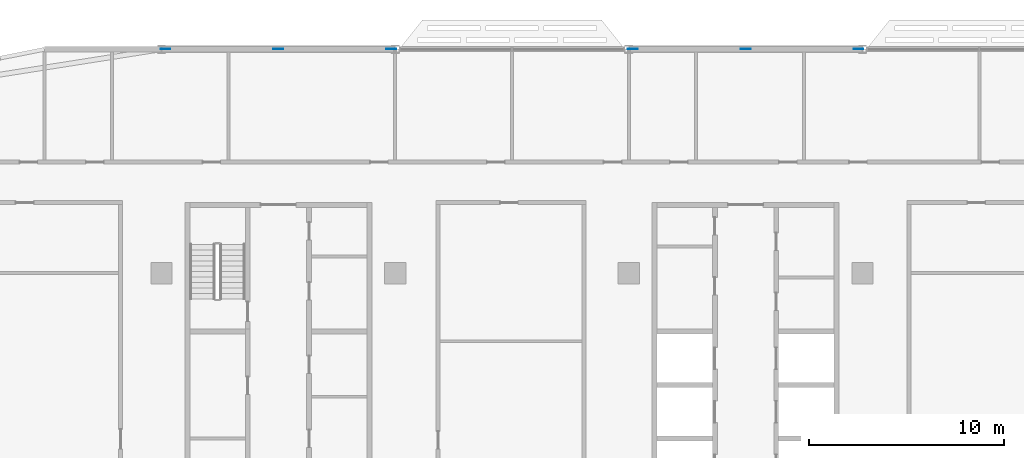
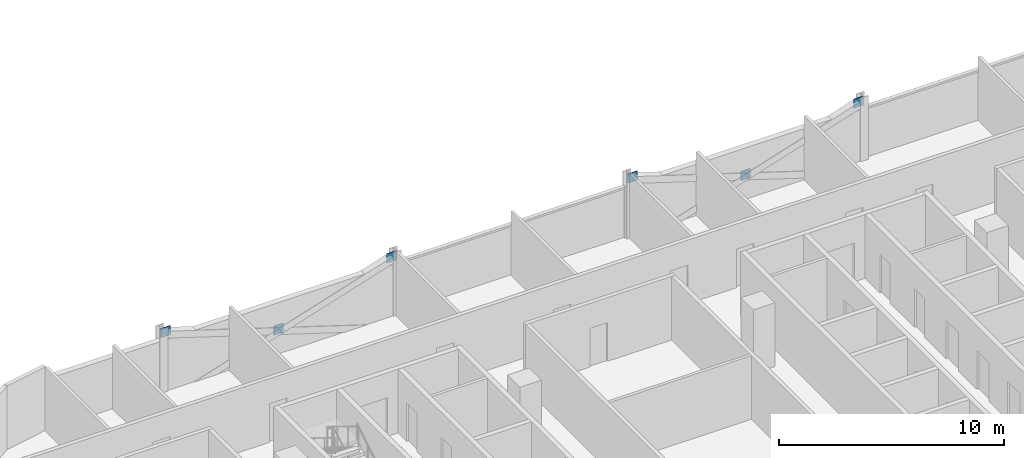
# One storey, part 22 of 30: 6 discrete accessories.
"""IFC4 building model written with IfcOpenShell, lengths in metres."""

from ifc_helpers import new_model, si_unit, direction, frame, origin, origin_2d, place, context, subcontext, project, spatial, rectangle, extrude, material, layer, layer_set, type_object, element, save


model = new_model("IFC4")

# Units and contexts
model_context = context("Model", 3, precision=1e-05, world=origin(), true_north=direction((0.0, 1.0)))
body_context = subcontext(model_context, "Body", "Model", "MODEL_VIEW")
ifc_project = project(units=[si_unit("LENGTHUNIT", "METRE"), si_unit("AREAUNIT", "SQUARE_METRE"), si_unit("VOLUMEUNIT", "CUBIC_METRE"), si_unit("PLANEANGLEUNIT", "RADIAN"), si_unit("MASSUNIT", "GRAM", prefix="KILO")], contexts=[model_context])

# Site, building, storey
site_placement = place(None, origin())
site = spatial("IfcSite", under=ifc_project, at=site_placement, CompositionType="ELEMENT")
building_placement = place(site_placement, origin())
building = spatial("IfcBuilding", under=site, at=building_placement, Name="Mahtab Terrace Research Tower", CompositionType="ELEMENT")
storey_placement = place(building_placement, frame((0.0, 0.0, 212.89990234375)))
storey = spatial("IfcBuildingStorey", under=building, at=storey_placement, Name="L51", CompositionType="ELEMENT", Elevation=212.89990234375)

# Discrete accessories
ifc_material = material(Name="Steel ASTM A992 Gr 50", Category="steel")
ifc_layer = layer(ifc_material, 0.030029296875)
ifc_layer_set = layer_set([ifc_layer], Name="Gusset plate 500x500x30")
discrete_accessory_type = type_object("IfcDiscreteAccessoryType", Name="Gusset plate 500x500x30", PredefinedType="USERDEFINED", material=ifc_layer_set)
for number, where, z_axis, x_axis, name in (
    (1, (-29.79931640625, 23.0, 2.87109375), (0.0, 0.0, 1.0), (1.0, 0.0, 0.0), "Gusset plate"),
    (2, (-24.0, 23.0, 0.970947265625), (0.0, 0.0, 1.0), (1.0, 0.0, 0.0), "Gusset plate"),
    (3, (-18.20068359375, 23.0, 2.87109375), (0.0, 0.0, 1.0), (1.0, 0.0, 0.0), "Gusset plate"),
    (4, (-5.79931640625, 23.0, 2.87109375), (0.0, 0.0, 1.0), (1.0, 0.0, 0.0), "Gusset plate"),
    (5, (0.0, 23.0, 0.970947265625), (0.0, 0.0, 1.0), (1.0, 0.0, 0.0), "Gusset plate"),
    (6, (5.79931640625, 23.0, 2.87109375), (0.0, 0.0, 1.0), (1.0, 0.0, 0.0), "Gusset plate"),
):
    element("IfcDiscreteAccessory", number, at=place(storey_placement, frame(where, z_axis=z_axis, x_axis=x_axis)), inside=storey, type_object=discrete_accessory_type, Name=name, ObjectType="GUSSET PLATE", PredefinedType="USERDEFINED", context=body_context, shape_type="SweptSolid", body=[
        extrude(rectangle(XDim=0.5, YDim=0.030029296875, at=origin_2d()), origin(), (0.0, 0.0, 1.0), 0.5),
    ])

save(model, "model.ifc")
